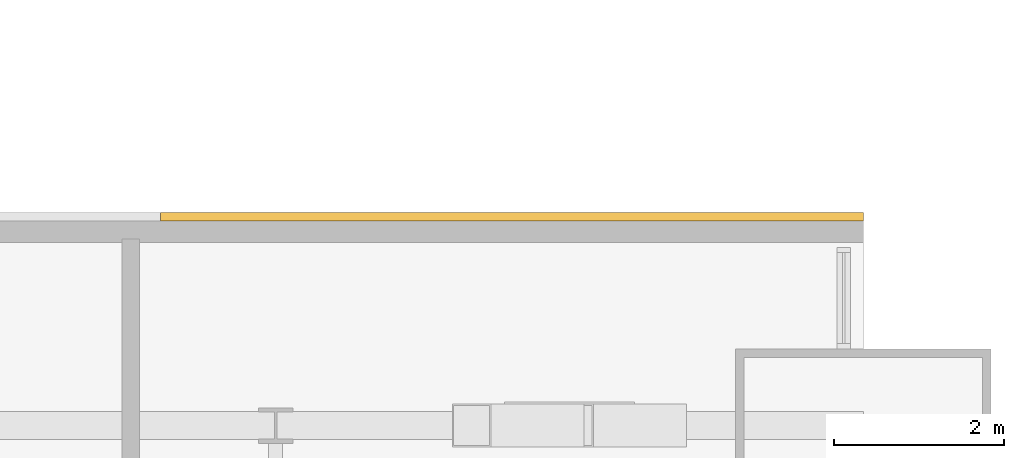
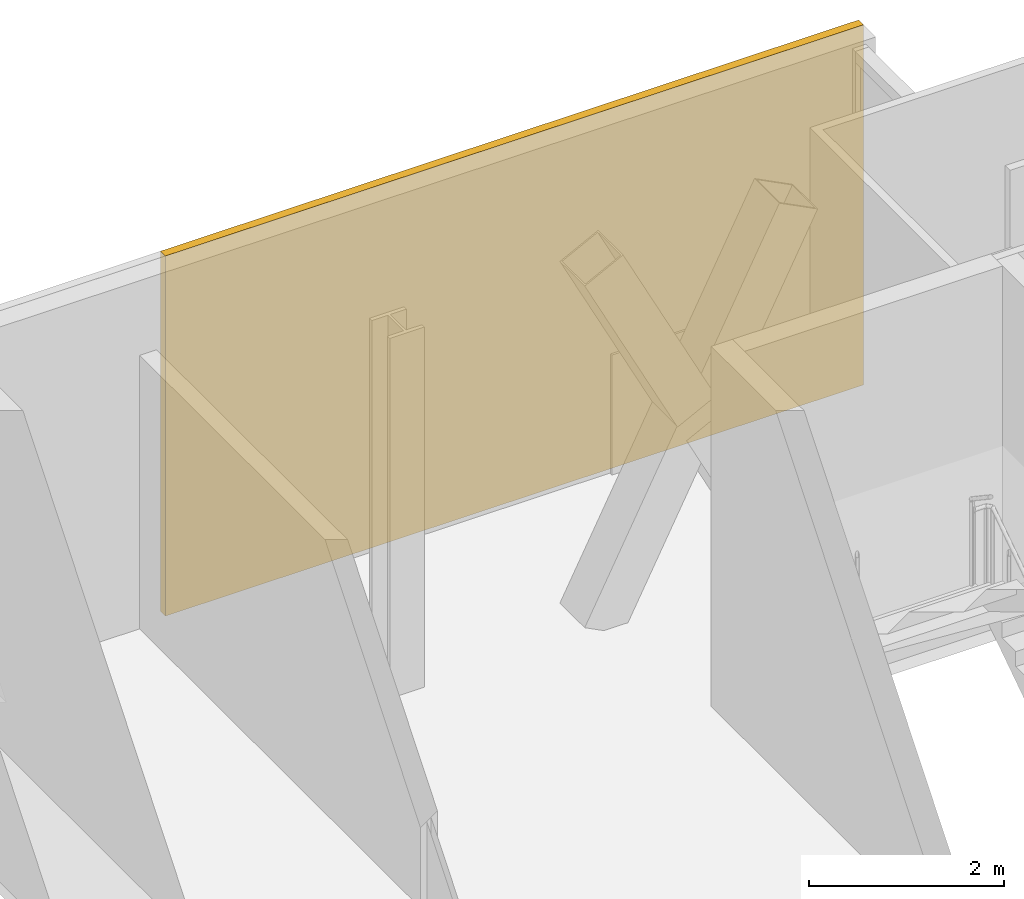
# One storey, part 22 of 22: 1 covering.
"""IFC4 building model written with IfcOpenShell, lengths in metres."""

from ifc_helpers import new_model, si_unit, direction, frame, origin, origin_2d, place, context, subcontext, project, spatial, rectangle, extrude, material, layer, layer_set, type_object, element, save


model = new_model("IFC4")

# Units and contexts
model_context = context("Model", 3, precision=1e-05, world=origin(), true_north=direction((0.0, 1.0)))
body_context = subcontext(model_context, "Body", "Model", "MODEL_VIEW")
ifc_project = project(units=[si_unit("LENGTHUNIT", "METRE"), si_unit("AREAUNIT", "SQUARE_METRE"), si_unit("VOLUMEUNIT", "CUBIC_METRE"), si_unit("PLANEANGLEUNIT", "RADIAN"), si_unit("MASSUNIT", "GRAM", prefix="KILO")], contexts=[model_context])

# Site, building, storey
site_placement = place(None, origin())
site = spatial("IfcSite", under=ifc_project, at=site_placement, CompositionType="ELEMENT")
building_placement = place(site_placement, origin())
building = spatial("IfcBuilding", under=site, at=building_placement, Name="Bicima Exchange Tower", CompositionType="ELEMENT")
storey_placement = place(building_placement, frame((0.0, 0.0, 39.5)))
storey = spatial("IfcBuildingStorey", under=building, at=storey_placement, Name="L07", CompositionType="ELEMENT", Elevation=39.5)

# Covering
ifc_material_1 = material(Name="Bronze metal cladding")
ifc_layer_1 = layer(ifc_material_1, 0.004)
ifc_material_2 = material(Name="Ventilated cavity")
ifc_layer_2 = layer(ifc_material_2, 0.06)
ifc_material_3 = material(Name="Galvanised steel rail and mineral wool", Category="steel")
ifc_layer_3 = layer(ifc_material_3, 0.036)
ifc_layer_set = layer_set([ifc_layer_1, ifc_layer_2, ifc_layer_3], Name="Ventilated cavity")
covering_type = type_object("IfcCoveringType", Name="Bronze metal cladding panel 100", PredefinedType="CLADDING", material=ifc_layer_set)
covering_placement = place(storey_placement, frame((28.875, 0.050048828125, -0.14990234375), z_axis=(0.0, 0.0, 1.0), x_axis=(-1.0, 0.0, 0.0)))
element("IfcCovering", 1, at=covering_placement, inside=storey, type_object=covering_type, Name="Bronze cladding L07 1.1", PredefinedType="CLADDING", context=body_context, shape_type="SweptSolid", body=[
    extrude(rectangle(XDim=8.25, YDim=0.10009765625, at=origin_2d()), origin(), (0.0, 0.0, 1.0), 4.5),
])

save(model, "model.ifc")
